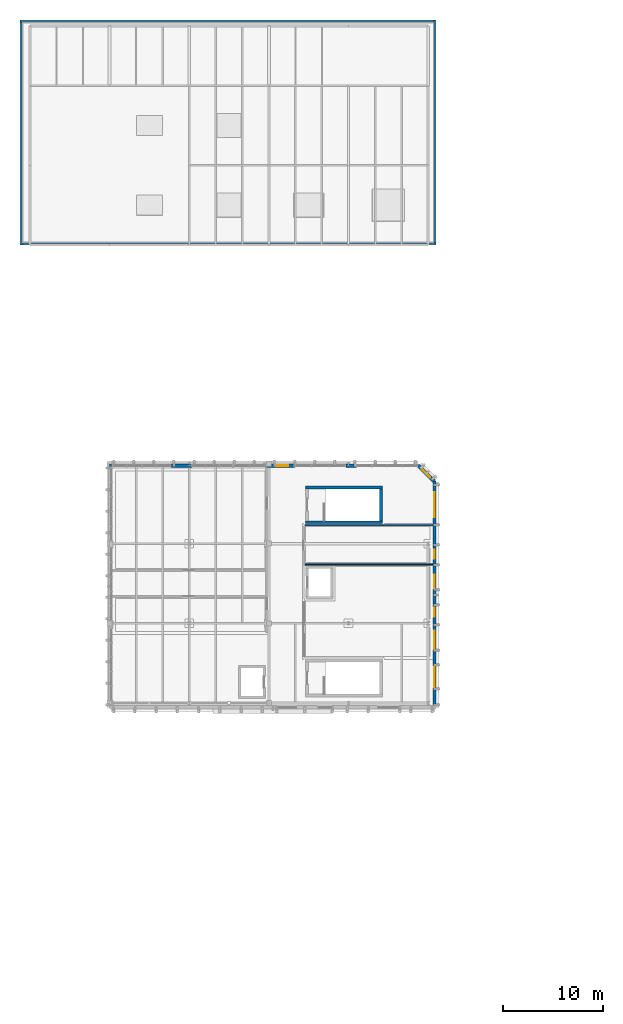
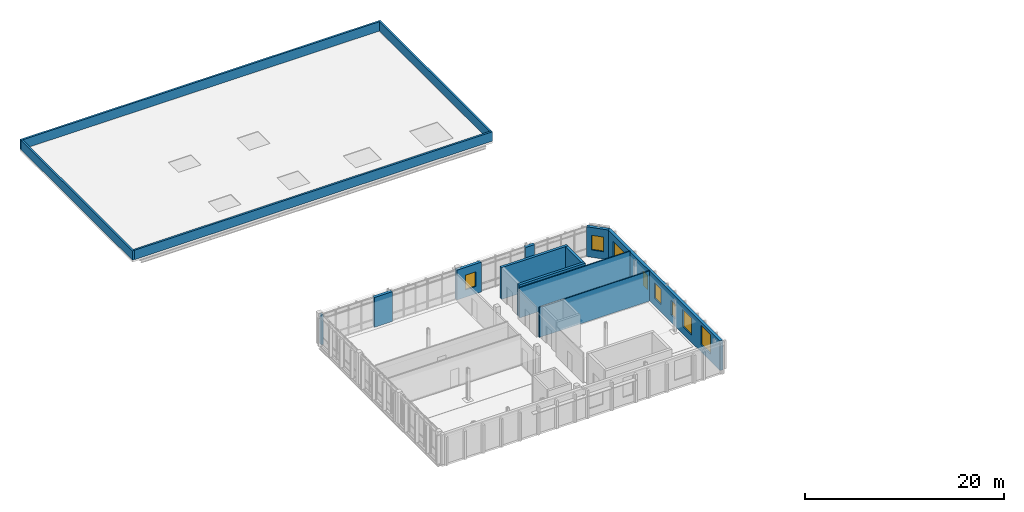
# One storey, part 19 of 28: 15 walls, 8 windows, 8 openings.
"""IFC4 building model written with IfcOpenShell, lengths in metres."""

from ifc_helpers import new_model, si_unit, direction, frame, frame_2d, origin, place, context, subcontext, project, spatial, rectangle, extrude, material, layer, layer_set, type_object, element, fill, save


model = new_model("IFC4")

# Units and contexts
model_context = context("Model", 3, precision=1e-05, world=origin(), true_north=direction((0.0, 1.0)))
body_context = subcontext(model_context, "Body", "Model", "MODEL_VIEW")
ifc_project = project(units=[si_unit("LENGTHUNIT", "METRE"), si_unit("AREAUNIT", "SQUARE_METRE"), si_unit("VOLUMEUNIT", "CUBIC_METRE"), si_unit("PLANEANGLEUNIT", "RADIAN"), si_unit("MASSUNIT", "GRAM", prefix="KILO")], contexts=[model_context])

# Site, building, storey
site_placement = place(None, origin())
site = spatial("IfcSite", under=ifc_project, at=site_placement, CompositionType="ELEMENT")
building_placement = place(site_placement, origin())
building = spatial("IfcBuilding", under=site, at=building_placement, Name="Cymarion Research Institute", CompositionType="ELEMENT")
storey_placement = place(building_placement, frame((0.0, 0.0, 30.60009765625)))
storey = spatial("IfcBuildingStorey", under=building, at=storey_placement, Name="L07", CompositionType="ELEMENT", Elevation=30.60009765625)

# Walls
ifc_material_1 = material(Name="Precast concrete C40/50", Category="concrete")
ifc_layer_1 = layer(ifc_material_1, 0.219970703125)
ifc_layer_set_1 = layer_set([ifc_layer_1], Name="Precast concrete C40/50")
wall_type_1 = type_object("IfcWallType", Name="EXTERIOR WALL EW-PAR220 220MM", PredefinedType="PARAPET", material=ifc_layer_set_1)
wall_1_placement = place(storey_placement, frame((5.820068359375, 93.610107421875, 0.0), z_axis=(0.0, 0.0, 1.0), x_axis=(1.0, 0.0, 0.0)))
element("IfcWall", 1, at=wall_1_placement, inside=storey, type_object=wall_type_1, Name="L07 ROOF-L07-V5 precast roof parapet #7", PredefinedType="PARAPET", context=body_context, shape_type="SweptSolid", body=[
    extrude(rectangle(XDim=41.579833984375, YDim=0.219970703125, at=frame_2d((20.7900390625, 0.0))), origin(), (0.0, 0.0, 1.0), 1.14990234375),
])
wall_2_placement = place(storey_placement, frame((47.2900390625, 93.719970703125, 0.0), z_axis=(0.0, 0.0, 1.0), x_axis=(0.0, 1.0, 0.0)))
element("IfcWall", 2, at=wall_2_placement, inside=storey, type_object=wall_type_1, Name="L07 ROOF-L07-V5 precast roof parapet #8", PredefinedType="PARAPET", context=body_context, shape_type="SweptSolid", body=[
    extrude(rectangle(XDim=22.380126953125, YDim=0.219970703125, at=frame_2d((11.18994140625, 0.0))), origin(), (0.0, 0.0, 1.0), 1.14990234375),
])
wall_3_placement = place(storey_placement, frame((47.179931640625, 115.989990234375, 0.0), z_axis=(0.0, 0.0, 1.0), x_axis=(-1.0, 0.0, 0.0)))
element("IfcWall", 3, at=wall_3_placement, inside=storey, type_object=wall_type_1, Name="L07 ROOF-L07-V5 precast roof parapet #9", PredefinedType="PARAPET", context=body_context, shape_type="SweptSolid", body=[
    extrude(rectangle(XDim=41.579833984375, YDim=0.219970703125, at=frame_2d((20.7900390625, 0.0))), origin(), (0.0, 0.0, 1.0), 1.14990234375),
])
wall_4_placement = place(storey_placement, frame((5.7099609375, 115.8798828125, 0.0), z_axis=(0.0, 0.0, 1.0), x_axis=(0.0, -1.0, 0.0)))
element("IfcWall", 4, at=wall_4_placement, inside=storey, type_object=wall_type_1, Name="L07 ROOF-L07-V5 precast roof parapet #10", PredefinedType="PARAPET", context=body_context, shape_type="SweptSolid", body=[
    extrude(rectangle(XDim=22.3798828125, YDim=0.219970703125, at=frame_2d((11.18994140625, 0.0))), origin(), (0.0, 0.0, 1.0), 1.14990234375),
])

# Wall, openings, windows
ifc_layer_2 = layer(ifc_material_1, 0.340087890625)
ifc_layer_set_2 = layer_set([ifc_layer_2], Name="Precast concrete C40/50")
wall_type_2 = type_object("IfcWallType", Name="EXTERIOR WALL EW-PC340 340MM", PredefinedType="SOLIDWALL", material=ifc_layer_set_2)
wall_5_placement = place(storey_placement, frame((47.22998046875, 47.221923828125, 0.0), z_axis=(0.0, 0.0, 1.0), x_axis=(0.0, 1.0, 0.0)))
wall_5 = element("IfcWall", 5, at=wall_5_placement, inside=storey, type_object=wall_type_2, Name="L07 V4 exterior wall EW-PC340 #288", PredefinedType="SOLIDWALL", context=body_context, shape_type="SweptSolid", body=[
    extrude(rectangle(XDim=22.578125, YDim=0.340087890625, at=frame_2d((11.2890625, 0.0))), origin(), (0.0, 0.0, 1.0), 3.659912109375),
])
opening_1_placement = place(wall_5_placement, frame((1.847900390625, 0.0, 0.89990234375)))
opening_1 = element("IfcOpeningElement", 6, at=opening_1_placement, cuts=wall_5, Name="Opening W21", PredefinedType="OPENING", context=body_context, shape_type="SweptSolid", body=[
    extrude(rectangle(XDim=2.0, YDim=2.39990234375, at=frame_2d((1.0, 1.199951171875))), frame((0.0, 0.179931640625, 0.0), z_axis=(0.0, -1.0, 0.0), x_axis=(1.0, 0.0, 0.0)), (0.0, 0.0, 1.0), 0.360107421875),
])
opening_2_placement = place(wall_5_placement, frame((5.7080078125, 0.0, 0.89990234375)))
opening_2 = element("IfcOpeningElement", 7, at=opening_2_placement, cuts=wall_5, Name="Opening W10", PredefinedType="OPENING", context=body_context, shape_type="SweptSolid", body=[
    extrude(rectangle(XDim=1.800048828125, YDim=2.10009765625, at=frame_2d((0.89990234375, 1.050048828125))), frame((0.0, 0.179931640625, 0.0), z_axis=(0.0, -1.0, 0.0), x_axis=(1.0, 0.0, 0.0)), (0.0, 0.0, 1.0), 0.360107421875),
])
opening_3_placement = place(wall_5_placement, frame((8.923095703125, 0.0, 0.89990234375)))
opening_3 = element("IfcOpeningElement", 8, at=opening_3_placement, cuts=wall_5, Name="Opening W24", PredefinedType="OPENING", context=body_context, shape_type="SweptSolid", body=[
    extrude(rectangle(XDim=0.89990234375, YDim=1.800048828125, at=frame_2d((0.449951171875, 0.89990234375))), frame((0.0, 0.179931640625, 0.0), z_axis=(0.0, -1.0, 0.0), x_axis=(1.0, 0.0, 0.0)), (0.0, 0.0, 1.0), 0.360107421875),
])
opening_4_placement = place(wall_5_placement, frame((11.802978515625, 0.0, 0.89990234375)))
opening_4 = element("IfcOpeningElement", 9, at=opening_4_placement, cuts=wall_5, Name="Opening W27", PredefinedType="OPENING", context=body_context, shape_type="SweptSolid", body=[
    extrude(rectangle(XDim=1.35009765625, YDim=1.949951171875, at=frame_2d((0.675048828125, 0.97509765625))), frame((0.0, 0.179931640625, 0.0), z_axis=(0.0, -1.0, 0.0), x_axis=(1.0, 0.0, 0.0)), (0.0, 0.0, 1.0), 0.360107421875),
])
opening_5_placement = place(wall_5_placement, frame((14.758056640625, 0.0, 0.89990234375)))
opening_5 = element("IfcOpeningElement", 10, at=opening_5_placement, cuts=wall_5, Name="Opening W24", PredefinedType="OPENING", context=body_context, shape_type="SweptSolid", body=[
    extrude(rectangle(XDim=0.89990234375, YDim=1.800048828125, at=frame_2d((0.449951171875, 0.89990234375))), frame((0.0, 0.179931640625, 0.0), z_axis=(0.0, -1.0, 0.0), x_axis=(1.0, 0.0, 0.0)), (0.0, 0.0, 1.0), 0.360107421875),
])
opening_6_placement = place(wall_5_placement, frame((18.907958984375, 0.0, 0.89990234375)))
opening_6 = element("IfcOpeningElement", 11, at=opening_6_placement, cuts=wall_5, Name="Opening W31", PredefinedType="OPENING", context=body_context, shape_type="SweptSolid", body=[
    extrude(rectangle(XDim=2.550048828125, YDim=1.949951171875, at=frame_2d((1.27490234375, 0.97509765625))), frame((0.0, 0.179931640625, 0.0), z_axis=(0.0, -1.0, 0.0), x_axis=(1.0, 0.0, 0.0)), (0.0, 0.0, 1.0), 0.360107421875),
])
ifc_material_2 = material(Name="Thermally broken aluminium window with Low-E glazing", Category="aluminium")
window_type_1 = type_object("IfcWindowType", Name="THERMALLY BROKEN ALUMINIUM WINDOW W10 1800X2100", PartitioningType="DOUBLE_PANEL_VERTICAL", PredefinedType="WINDOW", material=ifc_material_2)
window_1_placement = place(opening_2_placement, origin())
window_1 = element("IfcWindow", 12, at=window_1_placement, inside=storey, type_object=window_type_1, Name="L07 V4 facade window W10 #523", OverallHeight=2.10009765625, OverallWidth=1.800048828125, PartitioningType="SINGLE_PANEL", PredefinedType="WINDOW", context=body_context, shape_type="SweptSolid", body=[
    extrude(rectangle(XDim=1.800048828125, YDim=2.10009765625, at=frame_2d((0.89990234375, 1.050048828125))), frame((0.0, 0.030029296875, 0.0), z_axis=(0.0, -1.0, 0.0), x_axis=(1.0, 0.0, 0.0)), (0.0, 0.0, 1.0), 0.06005859375),
])
fill(opening_2, window_1)
window_type_2 = type_object("IfcWindowType", Name="THERMALLY BROKEN ALUMINIUM WINDOW W21 2000X2400", PartitioningType="DOUBLE_PANEL_VERTICAL", PredefinedType="WINDOW", material=ifc_material_2)
window_2_placement = place(opening_1_placement, origin())
window_2 = element("IfcWindow", 13, at=window_2_placement, inside=storey, type_object=window_type_2, Name="L07 V4 facade window W21 #522", OverallHeight=2.39990234375, OverallWidth=2.0, PartitioningType="SINGLE_PANEL", PredefinedType="WINDOW", context=body_context, shape_type="SweptSolid", body=[
    extrude(rectangle(XDim=2.0, YDim=2.39990234375, at=frame_2d((1.0, 1.199951171875))), frame((0.0, 0.030029296875, 0.0), z_axis=(0.0, -1.0, 0.0), x_axis=(1.0, 0.0, 0.0)), (0.0, 0.0, 1.0), 0.06005859375),
])
fill(opening_1, window_2)
window_type_3 = type_object("IfcWindowType", Name="THERMALLY BROKEN ALUMINIUM WINDOW W24 900X1800", PartitioningType="SINGLE_PANEL", PredefinedType="WINDOW", material=ifc_material_2)
window_3_placement = place(opening_3_placement, origin())
window_3 = element("IfcWindow", 14, at=window_3_placement, inside=storey, type_object=window_type_3, Name="L07 V4 facade window W24 #524", OverallHeight=1.800048828125, OverallWidth=0.89990234375, PartitioningType="SINGLE_PANEL", PredefinedType="WINDOW", context=body_context, shape_type="SweptSolid", body=[
    extrude(rectangle(XDim=0.89990234375, YDim=1.800048828125, at=frame_2d((0.449951171875, 0.89990234375))), frame((0.0, 0.030029296875, 0.0), z_axis=(0.0, -1.0, 0.0), x_axis=(1.0, 0.0, 0.0)), (0.0, 0.0, 1.0), 0.06005859375),
])
fill(opening_3, window_3)
window_4_placement = place(opening_5_placement, origin())
window_4 = element("IfcWindow", 15, at=window_4_placement, inside=storey, type_object=window_type_3, Name="L07 V4 facade window W24 #526", OverallHeight=1.800048828125, OverallWidth=0.89990234375, PartitioningType="SINGLE_PANEL", PredefinedType="WINDOW", context=body_context, shape_type="SweptSolid", body=[
    extrude(rectangle(XDim=0.89990234375, YDim=1.800048828125, at=frame_2d((0.449951171875, 0.89990234375))), frame((0.0, 0.030029296875, 0.0), z_axis=(0.0, -1.0, 0.0), x_axis=(1.0, 0.0, 0.0)), (0.0, 0.0, 1.0), 0.06005859375),
])
fill(opening_5, window_4)
window_type_4 = type_object("IfcWindowType", Name="THERMALLY BROKEN ALUMINIUM WINDOW W27 1350X1950", PartitioningType="SINGLE_PANEL", PredefinedType="WINDOW", material=ifc_material_2)
window_5_placement = place(opening_4_placement, origin())
window_5 = element("IfcWindow", 16, at=window_5_placement, inside=storey, type_object=window_type_4, Name="L07 V4 facade window W27 #525", OverallHeight=1.949951171875, OverallWidth=1.35009765625, PartitioningType="SINGLE_PANEL", PredefinedType="WINDOW", context=body_context, shape_type="SweptSolid", body=[
    extrude(rectangle(XDim=1.35009765625, YDim=1.949951171875, at=frame_2d((0.675048828125, 0.97509765625))), frame((0.0, 0.030029296875, 0.0), z_axis=(0.0, -1.0, 0.0), x_axis=(1.0, 0.0, 0.0)), (0.0, 0.0, 1.0), 0.06005859375),
])
fill(opening_4, window_5)
window_type_5 = type_object("IfcWindowType", Name="THERMALLY BROKEN ALUMINIUM WINDOW W31 2550X1950", PartitioningType="TRIPLE_PANEL_VERTICAL", PredefinedType="WINDOW", material=ifc_material_2)
window_6_placement = place(opening_6_placement, origin())
window_6 = element("IfcWindow", 17, at=window_6_placement, inside=storey, type_object=window_type_5, Name="L07 V4 facade window W31 #527", OverallHeight=1.949951171875, OverallWidth=2.550048828125, PartitioningType="SINGLE_PANEL", PredefinedType="WINDOW", context=body_context, shape_type="SweptSolid", body=[
    extrude(rectangle(XDim=2.550048828125, YDim=1.949951171875, at=frame_2d((1.27490234375, 0.97509765625))), frame((0.0, 0.030029296875, 0.0), z_axis=(0.0, -1.0, 0.0), x_axis=(1.0, 0.0, 0.0)), (0.0, 0.0, 1.0), 0.06005859375),
])
fill(opening_6, window_6)

# Wall, opening, window
wall_6_placement = place(storey_placement, frame((47.19287109375, 69.7666015625, 0.0), z_axis=(0.0, 0.0, 1.0), x_axis=(-0.707053271271, 0.707160287053, 0.0)))
wall_6 = element("IfcWall", 18, at=wall_6_placement, inside=storey, type_object=wall_type_2, Name="L07 V4 exterior wall EW-PC340 #289", PredefinedType="SOLIDWALL", context=body_context, shape_type="SweptSolid", body=[
    extrude(rectangle(XDim=2.28125, YDim=0.340087890625, at=frame_2d((1.140625, 0.0))), origin(), (0.0, 0.0, 1.0), 3.659912109375),
])
opening_7_placement = place(wall_6_placement, frame((0.541015625, 0.0, 0.89990234375)))
opening_7 = element("IfcOpeningElement", 19, at=opening_7_placement, cuts=wall_6, Name="Opening W01", PredefinedType="OPENING", context=body_context, shape_type="SweptSolid", body=[
    extrude(rectangle(XDim=1.199951171875, YDim=1.800048828125, at=frame_2d((0.60009765625, 0.89990234375))), frame((0.0, 0.179931640625, 0.0), z_axis=(0.0, -1.0, 0.0), x_axis=(1.0, 0.0, 0.0)), (0.0, 0.0, 1.0), 0.360107421875),
])
window_type_6 = type_object("IfcWindowType", Name="THERMALLY BROKEN ALUMINIUM WINDOW W01 1200X1800", PartitioningType="SINGLE_PANEL", PredefinedType="WINDOW", material=ifc_material_2)
window_7_placement = place(opening_7_placement, origin())
window_7 = element("IfcWindow", 20, at=window_7_placement, inside=storey, type_object=window_type_6, Name="L07 V4 facade window W01 #528", OverallHeight=1.800048828125, OverallWidth=1.199951171875, PartitioningType="SINGLE_PANEL", PredefinedType="WINDOW", context=body_context, shape_type="SweptSolid", body=[
    extrude(rectangle(XDim=1.199951171875, YDim=1.800048828125, at=frame_2d((0.60009765625, 0.89990234375))), frame((0.0, 0.030029296875, 0.0), z_axis=(0.0, -1.0, 0.0), x_axis=(1.0, 0.0, 0.0)), (0.0, 0.0, 1.0), 0.06005859375),
])
fill(opening_7, window_7)

# Wall
wall_7_placement = place(storey_placement, frame((39.381591796875, 71.330078125, 0.0), z_axis=(0.0, 0.0, 1.0), x_axis=(-1.0, 0.0, 0.0)))
element("IfcWall", 21, at=wall_7_placement, inside=storey, type_object=wall_type_2, Name="L07 V4 facade pier wall EW-PC340 #290", PredefinedType="SOLIDWALL", context=body_context, shape_type="SweptSolid", body=[
    extrude(rectangle(XDim=1.04150390625, YDim=0.340087890625, at=frame_2d((0.520751953125, 0.0))), origin(), (0.0, 0.0, 1.0), 3.659912109375),
])

# Wall, opening, window
wall_8_placement = place(storey_placement, frame((33.186279296875, 71.330078125, 0.0), z_axis=(0.0, 0.0, 1.0), x_axis=(-1.0, 0.0, 0.0)))
wall_8 = element("IfcWall", 22, at=wall_8_placement, inside=storey, type_object=wall_type_2, Name="L07 V4 facade pier wall EW-PC340 #291", PredefinedType="SOLIDWALL", context=body_context, shape_type="SweptSolid", body=[
    extrude(rectangle(XDim=2.84619140625, YDim=0.340087890625, at=frame_2d((1.423095703125, 0.0))), origin(), (0.0, 0.0, 1.0), 3.659912109375),
])
opening_8_placement = place(wall_8_placement, frame((0.633056640625, 0.0, 0.89990234375)))
opening_8 = element("IfcOpeningElement", 23, at=opening_8_placement, cuts=wall_8, Name="Opening W01", PredefinedType="OPENING", context=body_context, shape_type="SweptSolid", body=[
    extrude(rectangle(XDim=1.199951171875, YDim=1.800048828125, at=frame_2d((0.60009765625, 0.89990234375))), frame((0.0, 0.179931640625, 0.0), z_axis=(0.0, -1.0, 0.0), x_axis=(1.0, 0.0, 0.0)), (0.0, 0.0, 1.0), 0.360107421875),
])
window_8_placement = place(opening_8_placement, origin())
window_8 = element("IfcWindow", 24, at=window_8_placement, inside=storey, type_object=window_type_6, Name="L07 V4 facade window W01 #529", OverallHeight=1.800048828125, OverallWidth=1.199951171875, PartitioningType="SINGLE_PANEL", PredefinedType="WINDOW", context=body_context, shape_type="SweptSolid", body=[
    extrude(rectangle(XDim=1.199951171875, YDim=1.800048828125, at=frame_2d((0.60009765625, 0.89990234375))), frame((0.0, 0.030029296875, 0.0), z_axis=(0.0, -1.0, 0.0), x_axis=(1.0, 0.0, 0.0)), (0.0, 0.0, 1.0), 0.06005859375),
])
fill(opening_8, window_8)

# Walls
wall_9_placement = place(storey_placement, frame((22.860107421875, 71.330078125, 0.0), z_axis=(0.0, 0.0, 1.0), x_axis=(-1.0, 0.0, 0.0)))
element("IfcWall", 25, at=wall_9_placement, inside=storey, type_object=wall_type_2, Name="L07 V4 facade pier wall EW-PC340 #292", PredefinedType="SOLIDWALL", context=body_context, shape_type="SweptSolid", body=[
    extrude(rectangle(XDim=2.064697265625, YDim=0.340087890625, at=frame_2d((1.0322265625, 0.0))), origin(), (0.0, 0.0, 1.0), 3.659912109375),
])
wall_10_placement = place(storey_placement, frame((14.860107421875, 71.330078125, 0.0), z_axis=(0.0, 0.0, 1.0), x_axis=(-1.0, 0.0, 0.0)))
element("IfcWall", 26, at=wall_10_placement, inside=storey, type_object=wall_type_2, Name="L07 V4 facade pier wall EW-PC340 #293", PredefinedType="SOLIDWALL", context=body_context, shape_type="SweptSolid", body=[
    extrude(rectangle(XDim=0.260009765625, YDim=0.340087890625, at=frame_2d((0.1298828125, 0.0))), origin(), (0.0, 0.0, 1.0), 3.659912109375),
])
ifc_material_3 = material(Name="Service riser shaft wall", Category="gypsum")
ifc_layer_3 = layer(ifc_material_3, 0.1201171875)
ifc_layer_set_3 = layer_set([ifc_layer_3], Name="Service riser shaft wall")
wall_type_3 = type_object("IfcWallType", Name="INTERIOR PARTITION IW-SH120 120MM", PredefinedType="PARTITIONING", material=ifc_layer_set_3)
for number, where, z_axis, x_axis, name in (
    (27, (34.25, 61.39990234375, 0.0), (0.0, 0.0, 1.0), (1.0, 0.0, 0.0), "L07 V4 interior partition IW-SH120 #395"),
    (28, (34.25, 65.35009765625, 0.0), (0.0, 0.0, 1.0), (1.0, 0.0, 0.0), "L07 V4 interior partition IW-SH120 #396"),
):
    element("IfcWall", number, at=place(storey_placement, frame(where, z_axis=z_axis, x_axis=x_axis)), inside=storey, type_object=wall_type_3, Name=name, PredefinedType="PARTITIONING", context=body_context, shape_type="SweptSolid", body=[
        extrude(rectangle(XDim=12.864990234375, YDim=0.1201171875, at=frame_2d((6.4326171875, 0.0))), origin(), (0.0, 0.0, 1.0), 3.699951171875),
    ])
ifc_material_4 = material(Name="Concrete C40/50", Category="concrete")
ifc_layer_4 = layer(ifc_material_4, 0.300048828125)
ifc_layer_set_4 = layer_set([ifc_layer_4], Name="Concrete C40/50")
wall_type_4 = type_object("IfcWallType", Name="REINFORCED CONCRETE CORE WALL CW-SH300 300MM", PredefinedType="SHEAR", material=ifc_layer_set_4)
for number, where, z_axis, x_axis, name in (
    (29, (34.300048828125, 65.64990234375, 0.0), (0.0, 0.0, 1.0), (1.0, 0.0, 0.0), "L07 SHW-C8-L07 south core wall"),
    (30, (42.0, 69.14990234375, 0.0), (0.0, 0.0, 1.0), (-1.0, 0.0, 0.0), "L07 SHW-C8-L07 north core wall"),
):
    element("IfcWall", number, at=place(storey_placement, frame(where, z_axis=z_axis, x_axis=x_axis)), inside=storey, type_object=wall_type_4, Name=name, PredefinedType="SHEAR", context=body_context, shape_type="SweptSolid", body=[
        extrude(rectangle(XDim=7.699951171875, YDim=0.300048828125, at=frame_2d((3.85009765625, 0.0))), origin(), (0.0, 0.0, 1.0), 3.89990234375),
    ])
wall_11_placement = place(storey_placement, frame((41.85009765625, 65.800048828125, 0.0), z_axis=(0.0, 0.0, 1.0), x_axis=(0.0, 1.0, 0.0)))
element("IfcWall", 31, at=wall_11_placement, inside=storey, type_object=wall_type_4, Name="L07 SHW-C8-L07 east core wall", PredefinedType="SHEAR", context=body_context, shape_type="SweptSolid", body=[
    extrude(rectangle(XDim=3.199951171875, YDim=0.300048828125, at=frame_2d((1.60009765625, 0.0))), origin(), (0.0, 0.0, 1.0), 3.89990234375),
])

save(model, "model.ifc")
